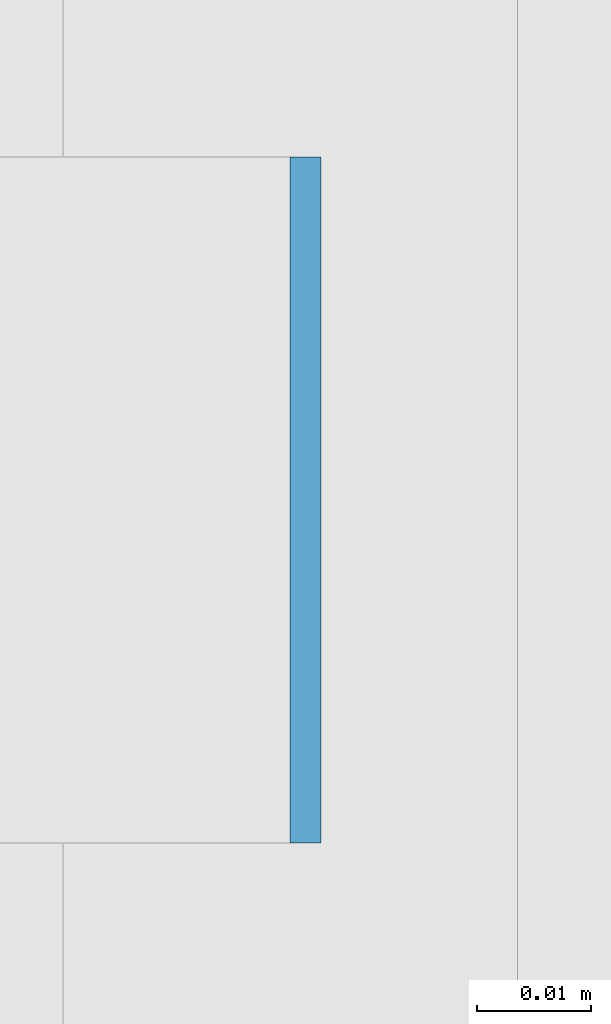
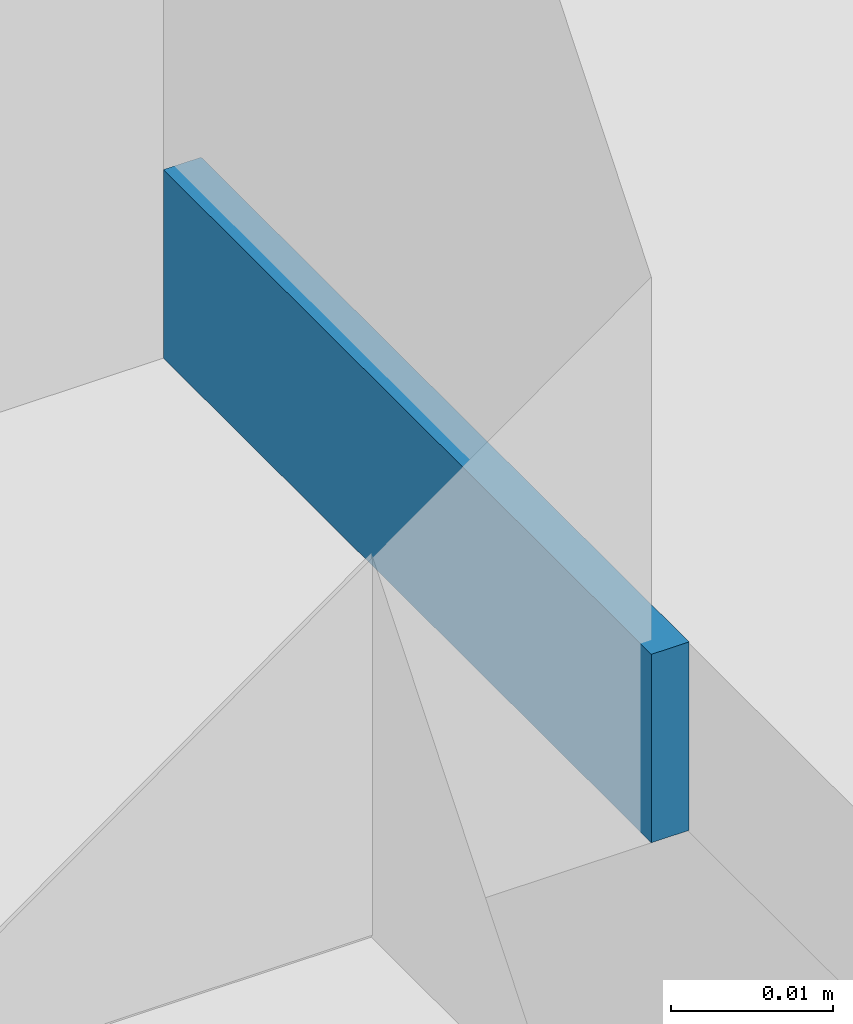
# One storey, part 368 of 646: 1 discrete accessory.
"""IFC4 building model written with IfcOpenShell, lengths in metres."""

from ifc_helpers import new_model, si_unit, direction, frame, origin, origin_2d, place, context, subcontext, project, spatial, rectangle, extrude, material, type_object, element, save


model = new_model("IFC4")

# Units and contexts
model_context = context("Model", 3, precision=1e-05, world=origin(), true_north=direction((0.0, 1.0)))
body_context = subcontext(model_context, "Body", "Model", "MODEL_VIEW")
ifc_project = project(units=[si_unit("LENGTHUNIT", "METRE"), si_unit("AREAUNIT", "SQUARE_METRE"), si_unit("VOLUMEUNIT", "CUBIC_METRE"), si_unit("PLANEANGLEUNIT", "RADIAN"), si_unit("MASSUNIT", "GRAM", prefix="KILO")], contexts=[model_context])

# Site, building, storey
site_placement = place(None, origin())
site = spatial("IfcSite", under=ifc_project, at=site_placement, CompositionType="ELEMENT")
building_placement = place(site_placement, origin())
building = spatial("IfcBuilding", under=site, at=building_placement, Name="Silverbay Arena", CompositionType="ELEMENT")
storey_placement = place(building_placement, frame((0.0, 0.0, 33.5)))
storey = spatial("IfcBuildingStorey", under=building, at=storey_placement, Name="L05", CompositionType="ELEMENT", Elevation=33.5)

# Discrete accessory
ifc_material = material(Name="Steel S355", Category="steel")
discrete_accessory_type = type_object("IfcDiscreteAccessoryType", Name="Steel bracket plate", PredefinedType="BRACKET", material=ifc_material)
discrete_accessory_placement = place(storey_placement, frame((53.871337890625, 100.28564453125, 4.0), z_axis=(0.0, 0.0, 1.0), x_axis=(1.0, 0.0, 0.0)))
element("IfcDiscreteAccessory", 1, at=discrete_accessory_placement, inside=storey, type_object=discrete_accessory_type, Name="Curtain wall packing plate", PredefinedType="BRACKET", context=body_context, shape_type="SweptSolid", body=[
    extrude(rectangle(XDim=0.002685546875, YDim=0.06005859375, at=origin_2d()), origin(), (0.0, 0.0, 1.0), 0.01416015625),
])

save(model, "model.ifc")
